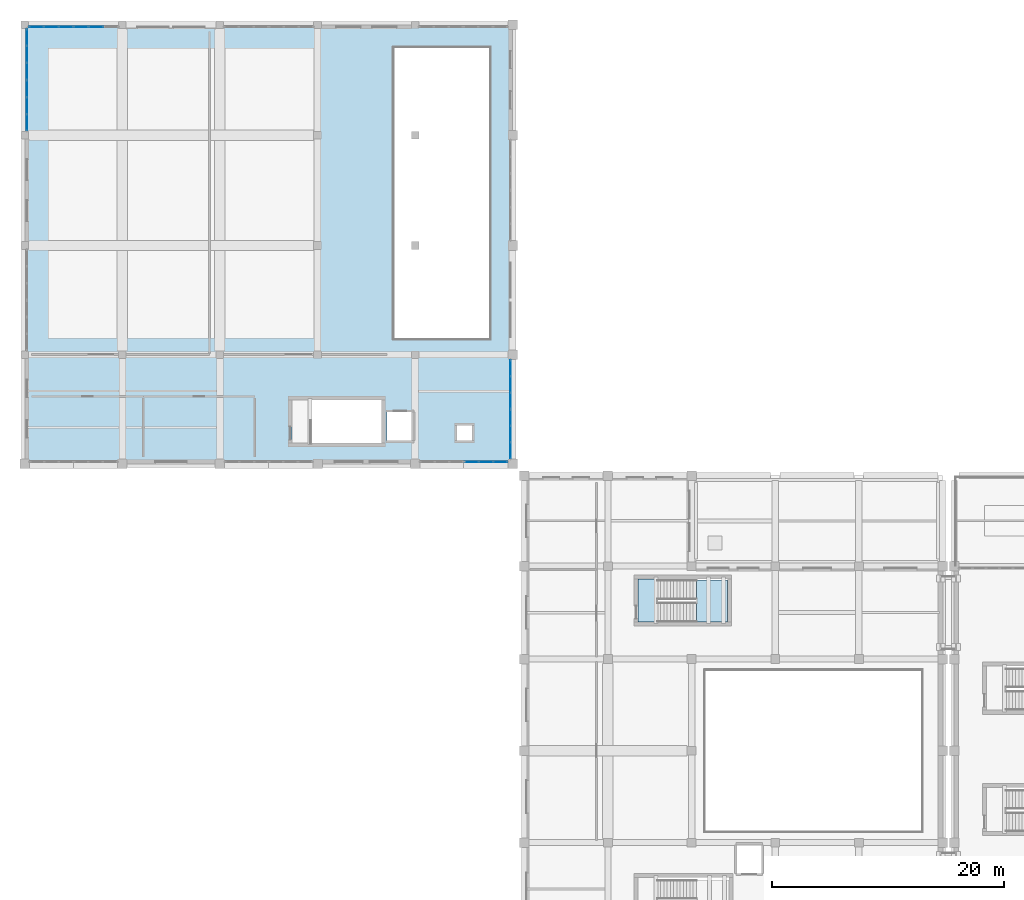
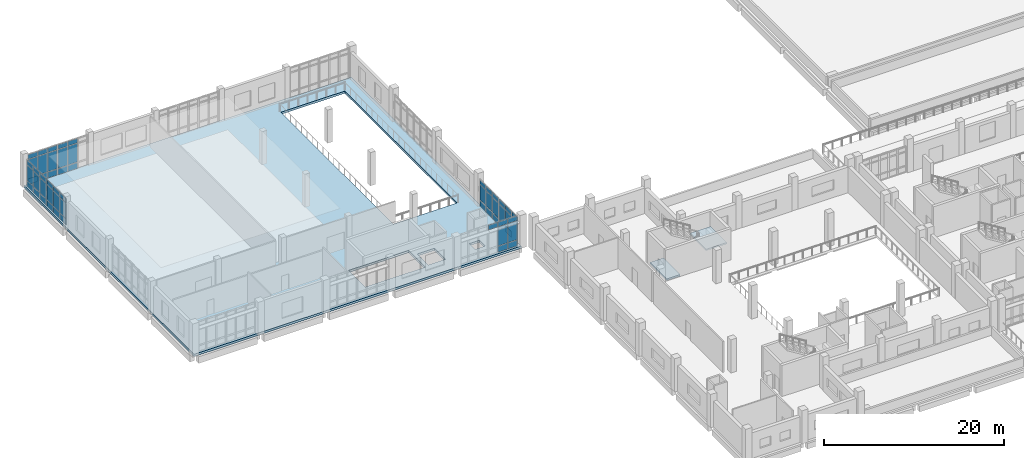
# One storey, part 31 of 54: 58 plates, 3 slabs, 8 elements without a shape of their own.
"""IFC4 building model written with IfcOpenShell, lengths in metres."""

from ifc_helpers import new_model, si_unit, direction, frame, origin, origin_2d, place, context, subcontext, project, spatial, polyline, rectangle, outline, extrude, material, layer, layer_set, type_object, element, aggregate, save


model = new_model("IFC4")

# Units and contexts
model_context = context("Model", 3, precision=1e-05, world=origin(), true_north=direction((0.0, 1.0)))
body_context = subcontext(model_context, "Body", "Model", "MODEL_VIEW")
ifc_project = project(units=[si_unit("LENGTHUNIT", "METRE"), si_unit("AREAUNIT", "SQUARE_METRE"), si_unit("VOLUMEUNIT", "CUBIC_METRE"), si_unit("PLANEANGLEUNIT", "RADIAN"), si_unit("MASSUNIT", "GRAM", prefix="KILO")], contexts=[model_context])

# Site, building, storey
site_placement = place(None, origin())
site = spatial("IfcSite", under=ifc_project, at=site_placement, CompositionType="ELEMENT")
building_placement = place(site_placement, origin())
building = spatial("IfcBuilding", under=site, at=building_placement, Name="Kelarvand Opera House", CompositionType="ELEMENT")
storey_placement = place(building_placement, frame((0.0, 0.0, 15.0)))
storey = spatial("IfcBuildingStorey", under=building, at=storey_placement, Name="L03", CompositionType="ELEMENT", Elevation=15.0)

# Slab
ifc_material_1 = material(Name="Concrete C35/45", Category="concrete")
ifc_layer_1 = layer(ifc_material_1, 0.219970703125, Name="Concrete C35/45", Category="concrete")
ifc_layer_set_1 = layer_set([ifc_layer_1], Name="Concrete C35/45")
slab_type_1 = type_object("IfcSlabType", Name="Core Stair Entry Landing Slab 220", PredefinedType="LANDING", material=ifc_layer_set_1)
slab_1_placement = place(storey_placement, frame((0.0, 0.0, -0.219970703125)))
element("IfcSlab", 1, at=slab_1_placement, inside=storey, type_object=slab_type_1, Name="C3 Stair Entry Landing L03", PredefinedType="LANDING", context=body_context, shape_type="SweptSolid", body=[
    extrude(outline(polyline([(61.800048828125, 73.60009765625), (63.52001953125, 73.60009765625), (63.52001953125, 77.300048828125), (61.800048828125, 77.300048828125), (61.800048828125, 73.60009765625)])), origin(), (0.0, 0.0, 1.0), 0.219970703125),
])

# Curtain wall, plates
ifc_material_2 = material(Name="Thermally broken aluminium and low-E glazing", Category="aluminium")
ifc_layer_2 = layer(ifc_material_2, 0.179931640625, Name="Thermally broken aluminium and low-E glazing", Category="aluminium")
ifc_layer_set_2 = layer_set([ifc_layer_2], Name="Thermally broken aluminium and low-E glazing")
curtain_wall_type_1 = type_object("IfcCurtainWallType", Name="Unitised Low-E Curtain Wall 4276x3717 Mod 1350 CWF-21", PredefinedType="USERDEFINED", material=ifc_layer_set_2)
curtain_wall_1_placement = place(storey_placement, origin())
curtain_wall_1 = element("IfcCurtainWall", 2, at=curtain_wall_1_placement, inside=storey, type_object=curtain_wall_type_1, Name="V3 L03 Curtain Wall CWF-21 (89)", ObjectType="UNITISED CURTAIN WALL", PredefinedType="USERDEFINED")
ifc_material_3 = material(Name="Low-E laminated double glazing", Category="glass")
ifc_layer_3 = layer(ifc_material_3, 0.031982421875, Name="Low-E laminated double glazing", Category="glass")
ifc_layer_set_3 = layer_set([ifc_layer_3], Name="Low-E laminated double glazing")
plate_type = type_object("IfcPlateType", Name="Low-E Argon Double Glazed Curtain Panel 32mm", PredefinedType="CURTAIN_PANEL", material=ifc_layer_set_3)
plate_1_placement = place(storey_placement, frame((50.820068359375, 95.451171875, 0.06494140625), z_axis=(0.0, 0.0, 1.0), x_axis=(0.0, -1.0, 0.0)))
plate_1 = element("IfcPlate", 3, at=plate_1_placement, type_object=plate_type, Name="CWF-21 panel 1.1", PredefinedType="CURTAIN_PANEL", context=body_context, shape_type="SweptSolid", body=[
    extrude(rectangle(XDim=1.327880859375, YDim=0.031982421875, at=origin_2d()), origin(), (0.0, 0.0, 1.0), 0.802490234375),
])
plate_2_placement = place(storey_placement, frame((50.820068359375, 95.451171875, 0.9326171875), z_axis=(0.0, 0.0, 1.0), x_axis=(0.0, -1.0, 0.0)))
plate_2 = element("IfcPlate", 4, at=plate_2_placement, type_object=plate_type, Name="CWF-21 panel 1.2", PredefinedType="CURTAIN_PANEL", context=body_context, shape_type="SweptSolid", body=[
    extrude(rectangle(XDim=1.327880859375, YDim=0.031982421875, at=origin_2d()), origin(), (0.0, 0.0, 1.0), 2.052001953125),
])
plate_3_placement = place(storey_placement, frame((50.820068359375, 95.451171875, 3.04931640625), z_axis=(0.0, 0.0, 1.0), x_axis=(0.0, -1.0, 0.0)))
plate_3 = element("IfcPlate", 5, at=plate_3_placement, type_object=plate_type, Name="CWF-21 panel 1.3", PredefinedType="CURTAIN_PANEL", context=body_context, shape_type="SweptSolid", body=[
    extrude(rectangle(XDim=1.327880859375, YDim=0.031982421875, at=origin_2d()), origin(), (0.0, 0.0, 1.0), 0.602783203125),
])
plate_4_placement = place(storey_placement, frame((50.820068359375, 94.0419921875, 0.06494140625), z_axis=(0.0, 0.0, 1.0), x_axis=(0.0, -1.0, 0.0)))
plate_4 = element("IfcPlate", 6, at=plate_4_placement, type_object=plate_type, Name="CWF-21 panel 2.1", PredefinedType="CURTAIN_PANEL", context=body_context, shape_type="SweptSolid", body=[
    extrude(rectangle(XDim=1.3603515625, YDim=0.031982421875, at=origin_2d()), origin(), (0.0, 0.0, 1.0), 0.802490234375),
])
plate_5_placement = place(storey_placement, frame((50.820068359375, 94.0419921875, 0.9326171875), z_axis=(0.0, 0.0, 1.0), x_axis=(0.0, -1.0, 0.0)))
plate_5 = element("IfcPlate", 7, at=plate_5_placement, type_object=plate_type, Name="CWF-21 panel 2.2", PredefinedType="CURTAIN_PANEL", context=body_context, shape_type="SweptSolid", body=[
    extrude(rectangle(XDim=1.3603515625, YDim=0.031982421875, at=origin_2d()), origin(), (0.0, 0.0, 1.0), 2.052001953125),
])
plate_6_placement = place(storey_placement, frame((50.820068359375, 94.0419921875, 3.04931640625), z_axis=(0.0, 0.0, 1.0), x_axis=(0.0, -1.0, 0.0)))
plate_6 = element("IfcPlate", 8, at=plate_6_placement, type_object=plate_type, Name="CWF-21 panel 2.3", PredefinedType="CURTAIN_PANEL", context=body_context, shape_type="SweptSolid", body=[
    extrude(rectangle(XDim=1.3603515625, YDim=0.031982421875, at=origin_2d()), origin(), (0.0, 0.0, 1.0), 0.602783203125),
])
plate_7_placement = place(storey_placement, frame((50.820068359375, 92.6328125, 0.06494140625), z_axis=(0.0, 0.0, 1.0), x_axis=(0.0, -1.0, 0.0)))
plate_7 = element("IfcPlate", 9, at=plate_7_placement, type_object=plate_type, Name="CWF-21 panel 3.1", PredefinedType="CURTAIN_PANEL", context=body_context, shape_type="SweptSolid", body=[
    extrude(rectangle(XDim=1.327880859375, YDim=0.031982421875, at=origin_2d()), origin(), (0.0, 0.0, 1.0), 0.802490234375),
])
plate_8_placement = place(storey_placement, frame((50.820068359375, 92.6328125, 0.9326171875), z_axis=(0.0, 0.0, 1.0), x_axis=(0.0, -1.0, 0.0)))
plate_8 = element("IfcPlate", 10, at=plate_8_placement, type_object=plate_type, Name="CWF-21 panel 3.2", PredefinedType="CURTAIN_PANEL", context=body_context, shape_type="SweptSolid", body=[
    extrude(rectangle(XDim=1.327880859375, YDim=0.031982421875, at=origin_2d()), origin(), (0.0, 0.0, 1.0), 2.052001953125),
])
plate_9_placement = place(storey_placement, frame((50.820068359375, 92.6328125, 3.04931640625), z_axis=(0.0, 0.0, 1.0), x_axis=(0.0, -1.0, 0.0)))
plate_9 = element("IfcPlate", 11, at=plate_9_placement, type_object=plate_type, Name="CWF-21 panel 3.3", PredefinedType="CURTAIN_PANEL", context=body_context, shape_type="SweptSolid", body=[
    extrude(rectangle(XDim=1.327880859375, YDim=0.031982421875, at=origin_2d()), origin(), (0.0, 0.0, 1.0), 0.602783203125),
])
aggregate(curtain_wall_1, [plate_1, plate_2, plate_3, plate_4, plate_5, plate_6, plate_7, plate_8, plate_9])

curtain_wall_2_placement = place(storey_placement, origin())
curtain_wall_2 = element("IfcCurtainWall", 12, at=curtain_wall_2_placement, inside=storey, type_object=curtain_wall_type_1, Name="V3 L03 Curtain Wall CWF-21 (90)", ObjectType="UNITISED CURTAIN WALL", PredefinedType="USERDEFINED")
plate_10_placement = place(storey_placement, frame((50.820068359375, 91.17041015625, 0.06494140625), z_axis=(0.0, 0.0, 1.0), x_axis=(0.0, -1.0, 0.0)))
plate_10 = element("IfcPlate", 13, at=plate_10_placement, type_object=plate_type, Name="CWF-21 panel 1.1", PredefinedType="CURTAIN_PANEL", context=body_context, shape_type="SweptSolid", body=[
    extrude(rectangle(XDim=1.3291015625, YDim=0.031982421875, at=origin_2d()), origin(), (0.0, 0.0, 1.0), 0.802490234375),
])
plate_11_placement = place(storey_placement, frame((50.820068359375, 91.17041015625, 0.9326171875), z_axis=(0.0, 0.0, 1.0), x_axis=(0.0, -1.0, 0.0)))
plate_11 = element("IfcPlate", 14, at=plate_11_placement, type_object=plate_type, Name="CWF-21 panel 1.2", PredefinedType="CURTAIN_PANEL", context=body_context, shape_type="SweptSolid", body=[
    extrude(rectangle(XDim=1.3291015625, YDim=0.031982421875, at=origin_2d()), origin(), (0.0, 0.0, 1.0), 2.052001953125),
])
plate_12_placement = place(storey_placement, frame((50.820068359375, 91.17041015625, 3.04931640625), z_axis=(0.0, 0.0, 1.0), x_axis=(0.0, -1.0, 0.0)))
plate_12 = element("IfcPlate", 15, at=plate_12_placement, type_object=plate_type, Name="CWF-21 panel 1.3", PredefinedType="CURTAIN_PANEL", context=body_context, shape_type="SweptSolid", body=[
    extrude(rectangle(XDim=1.3291015625, YDim=0.031982421875, at=origin_2d()), origin(), (0.0, 0.0, 1.0), 0.602783203125),
])
plate_13_placement = place(storey_placement, frame((50.820068359375, 89.760009765625, 0.06494140625), z_axis=(0.0, 0.0, 1.0), x_axis=(0.0, -1.0, 0.0)))
plate_13 = element("IfcPlate", 16, at=plate_13_placement, type_object=plate_type, Name="CWF-21 panel 2.1", PredefinedType="CURTAIN_PANEL", context=body_context, shape_type="SweptSolid", body=[
    extrude(rectangle(XDim=1.361572265625, YDim=0.031982421875, at=origin_2d()), origin(), (0.0, 0.0, 1.0), 0.802490234375),
])
plate_14_placement = place(storey_placement, frame((50.820068359375, 89.760009765625, 0.9326171875), z_axis=(0.0, 0.0, 1.0), x_axis=(0.0, -1.0, 0.0)))
plate_14 = element("IfcPlate", 17, at=plate_14_placement, type_object=plate_type, Name="CWF-21 panel 2.2", PredefinedType="CURTAIN_PANEL", context=body_context, shape_type="SweptSolid", body=[
    extrude(rectangle(XDim=1.361572265625, YDim=0.031982421875, at=origin_2d()), origin(), (0.0, 0.0, 1.0), 2.052001953125),
])
plate_15_placement = place(storey_placement, frame((50.820068359375, 89.760009765625, 3.04931640625), z_axis=(0.0, 0.0, 1.0), x_axis=(0.0, -1.0, 0.0)))
plate_15 = element("IfcPlate", 18, at=plate_15_placement, type_object=plate_type, Name="CWF-21 panel 2.3", PredefinedType="CURTAIN_PANEL", context=body_context, shape_type="SweptSolid", body=[
    extrude(rectangle(XDim=1.361572265625, YDim=0.031982421875, at=origin_2d()), origin(), (0.0, 0.0, 1.0), 0.602783203125),
])
plate_16_placement = place(storey_placement, frame((50.820068359375, 88.349609375, 0.06494140625), z_axis=(0.0, 0.0, 1.0), x_axis=(0.0, -1.0, 0.0)))
plate_16 = element("IfcPlate", 19, at=plate_16_placement, type_object=plate_type, Name="CWF-21 panel 3.1", PredefinedType="CURTAIN_PANEL", context=body_context, shape_type="SweptSolid", body=[
    extrude(rectangle(XDim=1.3291015625, YDim=0.031982421875, at=origin_2d()), origin(), (0.0, 0.0, 1.0), 0.802490234375),
])
plate_17_placement = place(storey_placement, frame((50.820068359375, 88.349609375, 0.9326171875), z_axis=(0.0, 0.0, 1.0), x_axis=(0.0, -1.0, 0.0)))
plate_17 = element("IfcPlate", 20, at=plate_17_placement, type_object=plate_type, Name="CWF-21 panel 3.2", PredefinedType="CURTAIN_PANEL", context=body_context, shape_type="SweptSolid", body=[
    extrude(rectangle(XDim=1.3291015625, YDim=0.031982421875, at=origin_2d()), origin(), (0.0, 0.0, 1.0), 2.052001953125),
])
plate_18_placement = place(storey_placement, frame((50.820068359375, 88.349609375, 3.04931640625), z_axis=(0.0, 0.0, 1.0), x_axis=(0.0, -1.0, 0.0)))
plate_18 = element("IfcPlate", 21, at=plate_18_placement, type_object=plate_type, Name="CWF-21 panel 3.3", PredefinedType="CURTAIN_PANEL", context=body_context, shape_type="SweptSolid", body=[
    extrude(rectangle(XDim=1.3291015625, YDim=0.031982421875, at=origin_2d()), origin(), (0.0, 0.0, 1.0), 0.602783203125),
])
aggregate(curtain_wall_2, [plate_10, plate_11, plate_12, plate_13, plate_14, plate_15, plate_16, plate_17, plate_18])

ifc_layer_4 = layer(ifc_material_2, 0.179931640625, Name="Thermally broken aluminium and low-E glazing", Category="aluminium")
ifc_layer_set_4 = layer_set([ifc_layer_4], Name="Thermally broken aluminium and low-E glazing")
curtain_wall_type_2 = type_object("IfcCurtainWallType", Name="Unitised Low-E Curtain Wall 3861x4200 Mod 1350 CWF-12", PredefinedType="USERDEFINED", material=ifc_layer_set_4)
curtain_wall_3_placement = place(storey_placement, origin())
curtain_wall_3 = element("IfcCurtainWall", 22, at=curtain_wall_3_placement, inside=storey, type_object=curtain_wall_type_2, Name="V3 L03 Curtain Wall CWF-12 (91)", ObjectType="UNITISED CURTAIN WALL", PredefinedType="USERDEFINED")
plate_19_placement = place(storey_placement, frame((9.99462890625, 124.820068359375, 0.06494140625), z_axis=(0.0, 0.0, 1.0), x_axis=(1.0, 0.0, 0.0)))
plate_19 = element("IfcPlate", 23, at=plate_19_placement, type_object=plate_type, Name="CWF-12 panel 1.1", PredefinedType="CURTAIN_PANEL", context=body_context, shape_type="SweptSolid", body=[
    extrude(rectangle(XDim=1.189453125, YDim=0.031982421875, at=origin_2d()), origin(), (0.0, 0.0, 1.0), 0.802490234375),
])
plate_20_placement = place(storey_placement, frame((9.99462890625, 124.820068359375, 0.9326171875), z_axis=(0.0, 0.0, 1.0), x_axis=(1.0, 0.0, 0.0)))
plate_20 = element("IfcPlate", 24, at=plate_20_placement, type_object=plate_type, Name="CWF-12 panel 1.2", PredefinedType="CURTAIN_PANEL", context=body_context, shape_type="SweptSolid", body=[
    extrude(rectangle(XDim=1.189453125, YDim=0.031982421875, at=origin_2d()), origin(), (0.0, 0.0, 1.0), 2.534912109375),
])
plate_21_placement = place(storey_placement, frame((9.99462890625, 124.820068359375, 3.532470703125), z_axis=(0.0, 0.0, 1.0), x_axis=(1.0, 0.0, 0.0)))
plate_21 = element("IfcPlate", 25, at=plate_21_placement, type_object=plate_type, Name="CWF-12 panel 1.3", PredefinedType="CURTAIN_PANEL", context=body_context, shape_type="SweptSolid", body=[
    extrude(rectangle(XDim=1.189453125, YDim=0.031982421875, at=origin_2d()), origin(), (0.0, 0.0, 1.0), 0.6025390625),
])
plate_22_placement = place(storey_placement, frame((11.265380859375, 124.820068359375, 0.06494140625), z_axis=(0.0, 0.0, 1.0), x_axis=(1.0, 0.0, 0.0)))
plate_22 = element("IfcPlate", 26, at=plate_22_placement, type_object=plate_type, Name="CWF-12 panel 2.1", PredefinedType="CURTAIN_PANEL", context=body_context, shape_type="SweptSolid", body=[
    extrude(rectangle(XDim=1.221923828125, YDim=0.031982421875, at=origin_2d()), origin(), (0.0, 0.0, 1.0), 0.802490234375),
])
plate_23_placement = place(storey_placement, frame((11.265380859375, 124.820068359375, 0.9326171875), z_axis=(0.0, 0.0, 1.0), x_axis=(1.0, 0.0, 0.0)))
plate_23 = element("IfcPlate", 27, at=plate_23_placement, type_object=plate_type, Name="CWF-12 panel 2.2", PredefinedType="CURTAIN_PANEL", context=body_context, shape_type="SweptSolid", body=[
    extrude(rectangle(XDim=1.221923828125, YDim=0.031982421875, at=origin_2d()), origin(), (0.0, 0.0, 1.0), 2.534912109375),
])
plate_24_placement = place(storey_placement, frame((11.265380859375, 124.820068359375, 3.532470703125), z_axis=(0.0, 0.0, 1.0), x_axis=(1.0, 0.0, 0.0)))
plate_24 = element("IfcPlate", 28, at=plate_24_placement, type_object=plate_type, Name="CWF-12 panel 2.3", PredefinedType="CURTAIN_PANEL", context=body_context, shape_type="SweptSolid", body=[
    extrude(rectangle(XDim=1.221923828125, YDim=0.031982421875, at=origin_2d()), origin(), (0.0, 0.0, 1.0), 0.6025390625),
])
plate_25_placement = place(storey_placement, frame((12.5361328125, 124.820068359375, 0.06494140625), z_axis=(0.0, 0.0, 1.0), x_axis=(1.0, 0.0, 0.0)))
plate_25 = element("IfcPlate", 29, at=plate_25_placement, type_object=plate_type, Name="CWF-12 panel 3.1", PredefinedType="CURTAIN_PANEL", context=body_context, shape_type="SweptSolid", body=[
    extrude(rectangle(XDim=1.189453125, YDim=0.031982421875, at=origin_2d()), origin(), (0.0, 0.0, 1.0), 0.802490234375),
])
plate_26_placement = place(storey_placement, frame((12.5361328125, 124.820068359375, 0.9326171875), z_axis=(0.0, 0.0, 1.0), x_axis=(1.0, 0.0, 0.0)))
plate_26 = element("IfcPlate", 30, at=plate_26_placement, type_object=plate_type, Name="CWF-12 panel 3.2", PredefinedType="CURTAIN_PANEL", context=body_context, shape_type="SweptSolid", body=[
    extrude(rectangle(XDim=1.189453125, YDim=0.031982421875, at=origin_2d()), origin(), (0.0, 0.0, 1.0), 2.534912109375),
])
plate_27_placement = place(storey_placement, frame((12.5361328125, 124.820068359375, 3.532470703125), z_axis=(0.0, 0.0, 1.0), x_axis=(1.0, 0.0, 0.0)))
plate_27 = element("IfcPlate", 31, at=plate_27_placement, type_object=plate_type, Name="CWF-12 panel 3.3", PredefinedType="CURTAIN_PANEL", context=body_context, shape_type="SweptSolid", body=[
    extrude(rectangle(XDim=1.189453125, YDim=0.031982421875, at=origin_2d()), origin(), (0.0, 0.0, 1.0), 0.6025390625),
])
aggregate(curtain_wall_3, [plate_19, plate_20, plate_21, plate_22, plate_23, plate_24, plate_25, plate_26, plate_27])

curtain_wall_4_placement = place(storey_placement, origin())
curtain_wall_4 = element("IfcCurtainWall", 32, at=curtain_wall_4_placement, inside=storey, type_object=curtain_wall_type_2, Name="V3 L03 Curtain Wall CWF-12 (92)", ObjectType="UNITISED CURTAIN WALL", PredefinedType="USERDEFINED")
plate_28_placement = place(storey_placement, frame((13.8603515625, 124.820068359375, 0.06494140625), z_axis=(0.0, 0.0, 1.0), x_axis=(1.0, 0.0, 0.0)))
plate_28 = element("IfcPlate", 33, at=plate_28_placement, type_object=plate_type, Name="CWF-12 panel 1.1", PredefinedType="CURTAIN_PANEL", context=body_context, shape_type="SweptSolid", body=[
    extrude(rectangle(XDim=1.19091796875, YDim=0.031982421875, at=origin_2d()), origin(), (0.0, 0.0, 1.0), 0.802490234375),
])
plate_29_placement = place(storey_placement, frame((13.8603515625, 124.820068359375, 0.9326171875), z_axis=(0.0, 0.0, 1.0), x_axis=(1.0, 0.0, 0.0)))
plate_29 = element("IfcPlate", 34, at=plate_29_placement, type_object=plate_type, Name="CWF-12 panel 1.2", PredefinedType="CURTAIN_PANEL", context=body_context, shape_type="SweptSolid", body=[
    extrude(rectangle(XDim=1.19091796875, YDim=0.031982421875, at=origin_2d()), origin(), (0.0, 0.0, 1.0), 2.534912109375),
])
plate_30_placement = place(storey_placement, frame((13.8603515625, 124.820068359375, 3.532470703125), z_axis=(0.0, 0.0, 1.0), x_axis=(1.0, 0.0, 0.0)))
plate_30 = element("IfcPlate", 35, at=plate_30_placement, type_object=plate_type, Name="CWF-12 panel 1.3", PredefinedType="CURTAIN_PANEL", context=body_context, shape_type="SweptSolid", body=[
    extrude(rectangle(XDim=1.19091796875, YDim=0.031982421875, at=origin_2d()), origin(), (0.0, 0.0, 1.0), 0.6025390625),
])
plate_31_placement = place(storey_placement, frame((15.132568359375, 124.820068359375, 0.06494140625), z_axis=(0.0, 0.0, 1.0), x_axis=(1.0, 0.0, 0.0)))
plate_31 = element("IfcPlate", 36, at=plate_31_placement, type_object=plate_type, Name="CWF-12 panel 2.1", PredefinedType="CURTAIN_PANEL", context=body_context, shape_type="SweptSolid", body=[
    extrude(rectangle(XDim=1.223388671875, YDim=0.031982421875, at=origin_2d()), origin(), (0.0, 0.0, 1.0), 0.802490234375),
])
plate_32_placement = place(storey_placement, frame((15.132568359375, 124.820068359375, 0.9326171875), z_axis=(0.0, 0.0, 1.0), x_axis=(1.0, 0.0, 0.0)))
plate_32 = element("IfcPlate", 37, at=plate_32_placement, type_object=plate_type, Name="CWF-12 panel 2.2", PredefinedType="CURTAIN_PANEL", context=body_context, shape_type="SweptSolid", body=[
    extrude(rectangle(XDim=1.223388671875, YDim=0.031982421875, at=origin_2d()), origin(), (0.0, 0.0, 1.0), 2.534912109375),
])
plate_33_placement = place(storey_placement, frame((15.132568359375, 124.820068359375, 3.532470703125), z_axis=(0.0, 0.0, 1.0), x_axis=(1.0, 0.0, 0.0)))
plate_33 = element("IfcPlate", 38, at=plate_33_placement, type_object=plate_type, Name="CWF-12 panel 2.3", PredefinedType="CURTAIN_PANEL", context=body_context, shape_type="SweptSolid", body=[
    extrude(rectangle(XDim=1.223388671875, YDim=0.031982421875, at=origin_2d()), origin(), (0.0, 0.0, 1.0), 0.6025390625),
])
aggregate(curtain_wall_4, [plate_28, plate_29, plate_30, plate_31, plate_32, plate_33])

ifc_layer_5 = layer(ifc_material_2, 0.179931640625, Name="Thermally broken aluminium and low-E glazing", Category="aluminium")
ifc_layer_set_5 = layer_set([ifc_layer_5], Name="Thermally broken aluminium and low-E glazing")
curtain_wall_type_3 = type_object("IfcCurtainWallType", Name="Unitised Low-E Curtain Wall 4411x3717 Mod 1350 CWF-22", PredefinedType="USERDEFINED", material=ifc_layer_set_5)
curtain_wall_5_placement = place(storey_placement, origin())
curtain_wall_5 = element("IfcCurtainWall", 39, at=curtain_wall_5_placement, inside=storey, type_object=curtain_wall_type_3, Name="V3 L03 Curtain Wall CWF-22 (99)", ObjectType="UNITISED CURTAIN WALL", PredefinedType="USERDEFINED")
plate_34_placement = place(storey_placement, frame((9.179931640625, 116.58642578125, 0.06494140625), z_axis=(0.0, 0.0, 1.0), x_axis=(0.0, 1.0, 0.0)))
plate_34 = element("IfcPlate", 40, at=plate_34_placement, type_object=plate_type, Name="CWF-22 panel 1.1", PredefinedType="CURTAIN_PANEL", context=body_context, shape_type="SweptSolid", body=[
    extrude(rectangle(XDim=1.372802734375, YDim=0.031982421875, at=origin_2d()), origin(), (0.0, 0.0, 1.0), 0.802490234375),
])
plate_35_placement = place(storey_placement, frame((9.179931640625, 116.58642578125, 0.9326171875), z_axis=(0.0, 0.0, 1.0), x_axis=(0.0, 1.0, 0.0)))
plate_35 = element("IfcPlate", 41, at=plate_35_placement, type_object=plate_type, Name="CWF-22 panel 1.2", PredefinedType="CURTAIN_PANEL", context=body_context, shape_type="SweptSolid", body=[
    extrude(rectangle(XDim=1.372802734375, YDim=0.031982421875, at=origin_2d()), origin(), (0.0, 0.0, 1.0), 2.052001953125),
])
plate_36_placement = place(storey_placement, frame((9.179931640625, 116.58642578125, 3.04931640625), z_axis=(0.0, 0.0, 1.0), x_axis=(0.0, 1.0, 0.0)))
plate_36 = element("IfcPlate", 42, at=plate_36_placement, type_object=plate_type, Name="CWF-22 panel 1.3", PredefinedType="CURTAIN_PANEL", context=body_context, shape_type="SweptSolid", body=[
    extrude(rectangle(XDim=1.372802734375, YDim=0.031982421875, at=origin_2d()), origin(), (0.0, 0.0, 1.0), 0.602783203125),
])
plate_37_placement = place(storey_placement, frame((9.179931640625, 118.04052734375, 0.06494140625), z_axis=(0.0, 0.0, 1.0), x_axis=(0.0, 1.0, 0.0)))
plate_37 = element("IfcPlate", 43, at=plate_37_placement, type_object=plate_type, Name="CWF-22 panel 2.1", PredefinedType="CURTAIN_PANEL", context=body_context, shape_type="SweptSolid", body=[
    extrude(rectangle(XDim=1.4052734375, YDim=0.031982421875, at=origin_2d()), origin(), (0.0, 0.0, 1.0), 0.802490234375),
])
plate_38_placement = place(storey_placement, frame((9.179931640625, 118.04052734375, 0.9326171875), z_axis=(0.0, 0.0, 1.0), x_axis=(0.0, 1.0, 0.0)))
plate_38 = element("IfcPlate", 44, at=plate_38_placement, type_object=plate_type, Name="CWF-22 panel 2.2", PredefinedType="CURTAIN_PANEL", context=body_context, shape_type="SweptSolid", body=[
    extrude(rectangle(XDim=1.4052734375, YDim=0.031982421875, at=origin_2d()), origin(), (0.0, 0.0, 1.0), 2.052001953125),
])
plate_39_placement = place(storey_placement, frame((9.179931640625, 118.04052734375, 3.04931640625), z_axis=(0.0, 0.0, 1.0), x_axis=(0.0, 1.0, 0.0)))
plate_39 = element("IfcPlate", 45, at=plate_39_placement, type_object=plate_type, Name="CWF-22 panel 2.3", PredefinedType="CURTAIN_PANEL", context=body_context, shape_type="SweptSolid", body=[
    extrude(rectangle(XDim=1.4052734375, YDim=0.031982421875, at=origin_2d()), origin(), (0.0, 0.0, 1.0), 0.602783203125),
])
plate_40_placement = place(storey_placement, frame((9.179931640625, 119.49462890625, 0.06494140625), z_axis=(0.0, 0.0, 1.0), x_axis=(0.0, 1.0, 0.0)))
plate_40 = element("IfcPlate", 46, at=plate_40_placement, type_object=plate_type, Name="CWF-22 panel 3.1", PredefinedType="CURTAIN_PANEL", context=body_context, shape_type="SweptSolid", body=[
    extrude(rectangle(XDim=1.372802734375, YDim=0.031982421875, at=origin_2d()), origin(), (0.0, 0.0, 1.0), 0.802490234375),
])
plate_41_placement = place(storey_placement, frame((9.179931640625, 119.49462890625, 0.9326171875), z_axis=(0.0, 0.0, 1.0), x_axis=(0.0, 1.0, 0.0)))
plate_41 = element("IfcPlate", 47, at=plate_41_placement, type_object=plate_type, Name="CWF-22 panel 3.2", PredefinedType="CURTAIN_PANEL", context=body_context, shape_type="SweptSolid", body=[
    extrude(rectangle(XDim=1.372802734375, YDim=0.031982421875, at=origin_2d()), origin(), (0.0, 0.0, 1.0), 2.052001953125),
])
plate_42_placement = place(storey_placement, frame((9.179931640625, 119.49462890625, 3.04931640625), z_axis=(0.0, 0.0, 1.0), x_axis=(0.0, 1.0, 0.0)))
plate_42 = element("IfcPlate", 48, at=plate_42_placement, type_object=plate_type, Name="CWF-22 panel 3.3", PredefinedType="CURTAIN_PANEL", context=body_context, shape_type="SweptSolid", body=[
    extrude(rectangle(XDim=1.372802734375, YDim=0.031982421875, at=origin_2d()), origin(), (0.0, 0.0, 1.0), 0.602783203125),
])
aggregate(curtain_wall_5, [plate_34, plate_35, plate_36, plate_37, plate_38, plate_39, plate_40, plate_41, plate_42])

curtain_wall_6_placement = place(storey_placement, origin())
curtain_wall_6 = element("IfcCurtainWall", 49, at=curtain_wall_6_placement, inside=storey, type_object=curtain_wall_type_3, Name="V3 L03 Curtain Wall CWF-22 (100)", ObjectType="UNITISED CURTAIN WALL", PredefinedType="USERDEFINED")
plate_43_placement = place(storey_placement, frame((9.179931640625, 121.002197265625, 0.06494140625), z_axis=(0.0, 0.0, 1.0), x_axis=(0.0, 1.0, 0.0)))
plate_43 = element("IfcPlate", 50, at=plate_43_placement, type_object=plate_type, Name="CWF-22 panel 1.1", PredefinedType="CURTAIN_PANEL", context=body_context, shape_type="SweptSolid", body=[
    extrude(rectangle(XDim=1.374267578125, YDim=0.031982421875, at=origin_2d()), origin(), (0.0, 0.0, 1.0), 0.802490234375),
])
plate_44_placement = place(storey_placement, frame((9.179931640625, 121.002197265625, 0.9326171875), z_axis=(0.0, 0.0, 1.0), x_axis=(0.0, 1.0, 0.0)))
plate_44 = element("IfcPlate", 51, at=plate_44_placement, type_object=plate_type, Name="CWF-22 panel 1.2", PredefinedType="CURTAIN_PANEL", context=body_context, shape_type="SweptSolid", body=[
    extrude(rectangle(XDim=1.374267578125, YDim=0.031982421875, at=origin_2d()), origin(), (0.0, 0.0, 1.0), 2.052001953125),
])
plate_45_placement = place(storey_placement, frame((9.179931640625, 121.002197265625, 3.04931640625), z_axis=(0.0, 0.0, 1.0), x_axis=(0.0, 1.0, 0.0)))
plate_45 = element("IfcPlate", 52, at=plate_45_placement, type_object=plate_type, Name="CWF-22 panel 1.3", PredefinedType="CURTAIN_PANEL", context=body_context, shape_type="SweptSolid", body=[
    extrude(rectangle(XDim=1.374267578125, YDim=0.031982421875, at=origin_2d()), origin(), (0.0, 0.0, 1.0), 0.602783203125),
])
plate_46_placement = place(storey_placement, frame((9.179931640625, 122.45751953125, 0.06494140625), z_axis=(0.0, 0.0, 1.0), x_axis=(0.0, 1.0, 0.0)))
plate_46 = element("IfcPlate", 53, at=plate_46_placement, type_object=plate_type, Name="CWF-22 panel 2.1", PredefinedType="CURTAIN_PANEL", context=body_context, shape_type="SweptSolid", body=[
    extrude(rectangle(XDim=1.40673828125, YDim=0.031982421875, at=origin_2d()), origin(), (0.0, 0.0, 1.0), 0.802490234375),
])
plate_47_placement = place(storey_placement, frame((9.179931640625, 122.45751953125, 0.9326171875), z_axis=(0.0, 0.0, 1.0), x_axis=(0.0, 1.0, 0.0)))
plate_47 = element("IfcPlate", 54, at=plate_47_placement, type_object=plate_type, Name="CWF-22 panel 2.2", PredefinedType="CURTAIN_PANEL", context=body_context, shape_type="SweptSolid", body=[
    extrude(rectangle(XDim=1.40673828125, YDim=0.031982421875, at=origin_2d()), origin(), (0.0, 0.0, 1.0), 2.052001953125),
])
plate_48_placement = place(storey_placement, frame((9.179931640625, 122.45751953125, 3.04931640625), z_axis=(0.0, 0.0, 1.0), x_axis=(0.0, 1.0, 0.0)))
plate_48 = element("IfcPlate", 55, at=plate_48_placement, type_object=plate_type, Name="CWF-22 panel 2.3", PredefinedType="CURTAIN_PANEL", context=body_context, shape_type="SweptSolid", body=[
    extrude(rectangle(XDim=1.40673828125, YDim=0.031982421875, at=origin_2d()), origin(), (0.0, 0.0, 1.0), 0.602783203125),
])
plate_49_placement = place(storey_placement, frame((9.179931640625, 123.912841796875, 0.06494140625), z_axis=(0.0, 0.0, 1.0), x_axis=(0.0, 1.0, 0.0)))
plate_49 = element("IfcPlate", 56, at=plate_49_placement, type_object=plate_type, Name="CWF-22 panel 3.1", PredefinedType="CURTAIN_PANEL", context=body_context, shape_type="SweptSolid", body=[
    extrude(rectangle(XDim=1.374267578125, YDim=0.031982421875, at=origin_2d()), origin(), (0.0, 0.0, 1.0), 0.802490234375),
])
plate_50_placement = place(storey_placement, frame((9.179931640625, 123.912841796875, 0.9326171875), z_axis=(0.0, 0.0, 1.0), x_axis=(0.0, 1.0, 0.0)))
plate_50 = element("IfcPlate", 57, at=plate_50_placement, type_object=plate_type, Name="CWF-22 panel 3.2", PredefinedType="CURTAIN_PANEL", context=body_context, shape_type="SweptSolid", body=[
    extrude(rectangle(XDim=1.374267578125, YDim=0.031982421875, at=origin_2d()), origin(), (0.0, 0.0, 1.0), 2.052001953125),
])
plate_51_placement = place(storey_placement, frame((9.179931640625, 123.912841796875, 3.04931640625), z_axis=(0.0, 0.0, 1.0), x_axis=(0.0, 1.0, 0.0)))
plate_51 = element("IfcPlate", 58, at=plate_51_placement, type_object=plate_type, Name="CWF-22 panel 3.3", PredefinedType="CURTAIN_PANEL", context=body_context, shape_type="SweptSolid", body=[
    extrude(rectangle(XDim=1.374267578125, YDim=0.031982421875, at=origin_2d()), origin(), (0.0, 0.0, 1.0), 0.602783203125),
])
aggregate(curtain_wall_6, [plate_43, plate_44, plate_45, plate_46, plate_47, plate_48, plate_49, plate_50, plate_51])

ifc_layer_6 = layer(ifc_material_2, 0.179931640625, Name="Thermally broken aluminium and low-E glazing", Category="aluminium")
ifc_layer_set_6 = layer_set([ifc_layer_6], Name="Thermally broken aluminium and low-E glazing")
curtain_wall_type_4 = type_object("IfcCurtainWallType", Name="Unitised Low-E Curtain Wall 3776x4200 Mod 1350 CWF-14", PredefinedType="USERDEFINED", material=ifc_layer_set_6)
curtain_wall_7_placement = place(storey_placement, origin())
curtain_wall_7 = element("IfcCurtainWall", 59, at=curtain_wall_7_placement, inside=storey, type_object=curtain_wall_type_4, Name="V3 L03 Curtain Wall CWF-14 (101)", ObjectType="UNITISED CURTAIN WALL", PredefinedType="USERDEFINED")
plate_52_placement = place(storey_placement, frame((49.934326171875, 87.3798828125, 0.06494140625), z_axis=(0.0, 0.0, 1.0), x_axis=(-1.0, 0.0, 0.0)))
plate_52 = element("IfcPlate", 60, at=plate_52_placement, type_object=plate_type, Name="CWF-14 panel 1.1", PredefinedType="CURTAIN_PANEL", context=body_context, shape_type="SweptSolid", body=[
    extrude(rectangle(XDim=1.1611328125, YDim=0.031982421875, at=origin_2d()), origin(), (0.0, 0.0, 1.0), 0.802490234375),
])
plate_53_placement = place(storey_placement, frame((49.934326171875, 87.3798828125, 0.9326171875), z_axis=(0.0, 0.0, 1.0), x_axis=(-1.0, 0.0, 0.0)))
plate_53 = element("IfcPlate", 61, at=plate_53_placement, type_object=plate_type, Name="CWF-14 panel 1.2", PredefinedType="CURTAIN_PANEL", context=body_context, shape_type="SweptSolid", body=[
    extrude(rectangle(XDim=1.1611328125, YDim=0.031982421875, at=origin_2d()), origin(), (0.0, 0.0, 1.0), 2.534912109375),
])
plate_54_placement = place(storey_placement, frame((49.934326171875, 87.3798828125, 3.532470703125), z_axis=(0.0, 0.0, 1.0), x_axis=(-1.0, 0.0, 0.0)))
plate_54 = element("IfcPlate", 62, at=plate_54_placement, type_object=plate_type, Name="CWF-14 panel 1.3", PredefinedType="CURTAIN_PANEL", context=body_context, shape_type="SweptSolid", body=[
    extrude(rectangle(XDim=1.1611328125, YDim=0.031982421875, at=origin_2d()), origin(), (0.0, 0.0, 1.0), 0.6025390625),
])
plate_55_placement = place(storey_placement, frame((48.69189453125, 87.3798828125, 0.06494140625), z_axis=(0.0, 0.0, 1.0), x_axis=(-1.0, 0.0, 0.0)))
plate_55 = element("IfcPlate", 63, at=plate_55_placement, type_object=plate_type, Name="CWF-14 panel 2.1", PredefinedType="CURTAIN_PANEL", context=body_context, shape_type="SweptSolid", body=[
    extrude(rectangle(XDim=1.193603515625, YDim=0.031982421875, at=origin_2d()), origin(), (0.0, 0.0, 1.0), 0.802490234375),
])
plate_56_placement = place(storey_placement, frame((48.69189453125, 87.3798828125, 0.9326171875), z_axis=(0.0, 0.0, 1.0), x_axis=(-1.0, 0.0, 0.0)))
plate_56 = element("IfcPlate", 64, at=plate_56_placement, type_object=plate_type, Name="CWF-14 panel 2.2", PredefinedType="CURTAIN_PANEL", context=body_context, shape_type="SweptSolid", body=[
    extrude(rectangle(XDim=1.193603515625, YDim=0.031982421875, at=origin_2d()), origin(), (0.0, 0.0, 1.0), 2.534912109375),
])
plate_57_placement = place(storey_placement, frame((48.69189453125, 87.3798828125, 3.532470703125), z_axis=(0.0, 0.0, 1.0), x_axis=(-1.0, 0.0, 0.0)))
plate_57 = element("IfcPlate", 65, at=plate_57_placement, type_object=plate_type, Name="CWF-14 panel 2.3", PredefinedType="CURTAIN_PANEL", context=body_context, shape_type="SweptSolid", body=[
    extrude(rectangle(XDim=1.193603515625, YDim=0.031982421875, at=origin_2d()), origin(), (0.0, 0.0, 1.0), 0.6025390625),
])
plate_58_placement = place(storey_placement, frame((47.449462890625, 87.3798828125, 3.532470703125), z_axis=(0.0, 0.0, 1.0), x_axis=(-1.0, 0.0, 0.0)))
plate_58 = element("IfcPlate", 66, at=plate_58_placement, type_object=plate_type, Name="CWF-14 panel 3.3", PredefinedType="CURTAIN_PANEL", context=body_context, shape_type="SweptSolid", body=[
    extrude(rectangle(XDim=1.1611328125, YDim=0.031982421875, at=origin_2d()), origin(), (0.0, 0.0, 1.0), 0.6025390625),
])
aggregate(curtain_wall_7, [plate_52, plate_53, plate_54, plate_55, plate_56, plate_57, plate_58])

# Stair, slab
stair_type = type_object("IfcStairType", Name="Dogleg Concrete Exit Stair 1660mm 26R STA-03", PredefinedType="HALF_TURN_STAIR", material=ifc_material_1)
stair_placement = place(storey_placement, origin())
stair = element("IfcStair", 67, at=stair_placement, inside=storey, type_object=stair_type, Name="L03 Fly Tower North Technical Core C3 Stair ST-03", PredefinedType="HALF_TURN_STAIR")
ifc_layer_7 = layer(ifc_material_1, 0.199951171875, Name="Concrete C35/45", Category="concrete")
ifc_layer_set_7 = layer_set([ifc_layer_7], Name="Concrete C35/45")
slab_type_2 = type_object("IfcSlabType", Name="Precast Stair Half-Landing Slab 200", PredefinedType="LANDING", material=ifc_layer_set_7)
slab_2_placement = place(storey_placement, frame((0.0, 0.0, 2.050048828125)))
slab_2 = element("IfcSlab", 68, at=slab_2_placement, type_object=slab_type_2, Name="ST-03 landing 1", PredefinedType="LANDING", context=body_context, shape_type="SweptSolid", body=[
    extrude(outline(polyline([(66.820068359375, 73.60009765625), (69.5, 73.60009765625), (69.5, 77.199951171875), (66.820068359375, 77.199951171875), (66.820068359375, 73.60009765625)])), origin(), (0.0, 0.0, 1.0), 0.199951171875),
])
aggregate(stair, [slab_2])

# Slab
ifc_layer_8 = layer(ifc_material_1, 0.300048828125, Name="Concrete C35/45", Category="concrete")
ifc_layer_set_8 = layer_set([ifc_layer_8], Name="Concrete C35/45")
slab_type_3 = type_object("IfcSlabType", Name="Suspended Floor Slab 300", PredefinedType="FLOOR", material=ifc_layer_set_8)
slab_3_placement = place(storey_placement, frame((0.0, 0.0, -0.300048828125)))
element("IfcSlab", 69, at=slab_3_placement, inside=storey, type_object=slab_type_3, Name="V3 L03 Structural Slab 23", PredefinedType="FLOOR", context=body_context, shape_type="SweptSolid", body=[
    extrude(outline(polyline([(51.0, 87.199951171875), (51.0, 125.0), (9.0, 125.0), (9.0, 87.199951171875), (51.0, 87.199951171875)]), holes=[polyline([(46.199951171875, 90.5), (47.5, 90.5), (47.5, 89.199951171875), (46.199951171875, 89.199951171875), (46.199951171875, 90.5)]), polyline([(40.199951171875, 91.64990234375), (42.39990234375, 91.64990234375), (42.39990234375, 89.199951171875), (40.199951171875, 89.199951171875), (40.199951171875, 91.64990234375)]), polyline([(32.0, 92.699951171875), (39.699951171875, 92.699951171875), (39.699951171875, 89.0), (32.0, 89.0), (32.0, 92.699951171875)]), polyline([(40.800048828125, 123.0), (49.0, 123.0), (49.0, 98.0), (40.800048828125, 98.0), (40.800048828125, 123.0)])]), origin(), (0.0, 0.0, 1.0), 0.300048828125),
])

save(model, "model.ifc")
